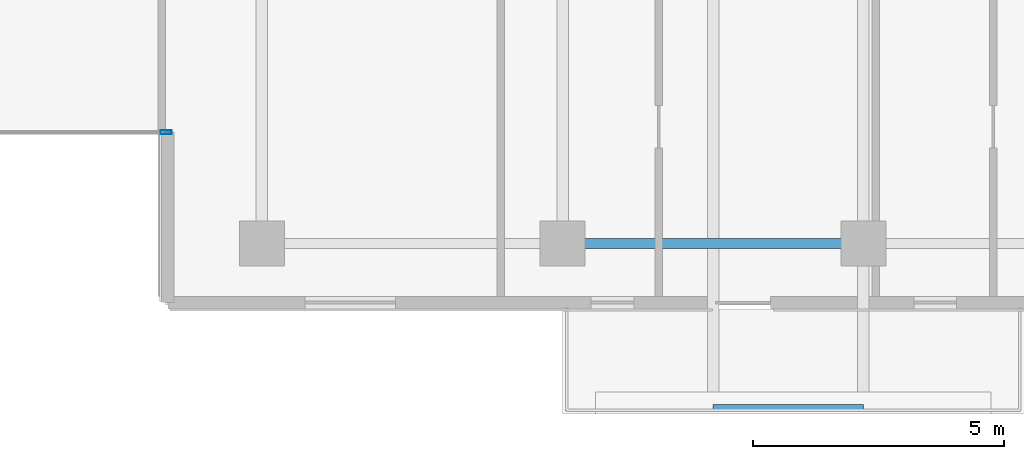
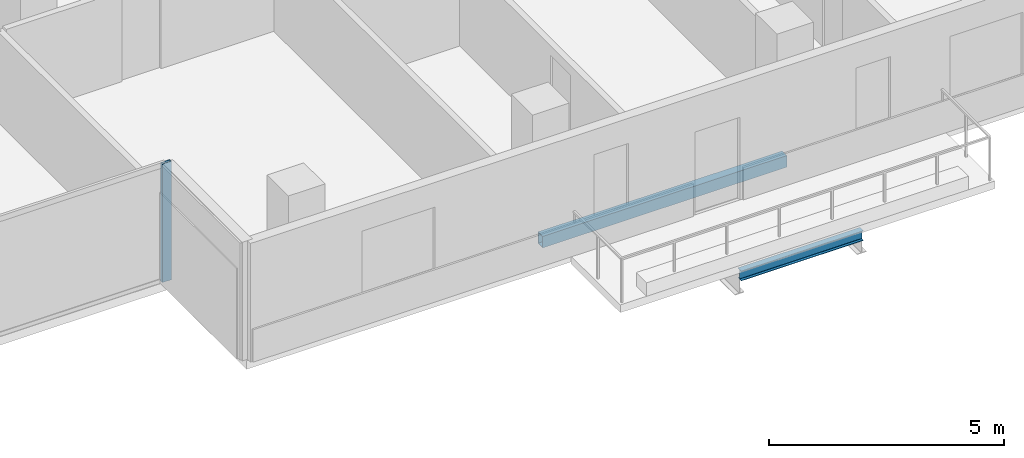
# One storey, part 4 of 19: 2 beams, 1 member, 1 element without a shape of its own.
"""IFC4 building model written with IfcOpenShell, lengths in metres."""

from ifc_helpers import new_model, si_unit, direction, frame, origin, origin_2d, place, context, subcontext, project, spatial, hollow_rectangle, i_section, extrude, material, layer, layer_set, material_profile, profile_set, type_object, element, aggregate, save


model = new_model("IFC4")

# Units and contexts
model_context = context("Model", 3, precision=1e-05, world=origin(), true_north=direction((0.0, 1.0)))
body_context = subcontext(model_context, "Body", "Model", "MODEL_VIEW")
ifc_project = project(units=[si_unit("LENGTHUNIT", "METRE"), si_unit("AREAUNIT", "SQUARE_METRE"), si_unit("VOLUMEUNIT", "CUBIC_METRE"), si_unit("PLANEANGLEUNIT", "RADIAN"), si_unit("MASSUNIT", "GRAM", prefix="KILO")], contexts=[model_context])

# Site, building, storey
site_placement = place(None, origin())
site = spatial("IfcSite", under=ifc_project, at=site_placement, CompositionType="ELEMENT")
building_placement = place(site_placement, origin())
building = spatial("IfcBuilding", under=site, at=building_placement, Name="Tanjung Sevakor Pilgrim Tower", CompositionType="ELEMENT")
storey_placement = place(building_placement, frame((0.0, 0.0, 138.60009765625)))
storey = spatial("IfcBuildingStorey", under=building, at=storey_placement, Name="L38", CompositionType="ELEMENT", Elevation=138.60009765625)

# Beams
ifc_material_1 = material(Name="Steel S355J2", Category="steel")
ifc_material_profile_1 = material_profile(ifc_material_1, i_section(OverallWidth=0.146484375, OverallDepth=0.256103515625, WebThickness=0.00634765625, FlangeThickness=0.010986328125, FilletRadius=0.007568359375, at=origin_2d()))
ifc_profile_set_1 = profile_set([ifc_material_profile_1], Name="Steel S355J2")
beam_type_1 = type_object("IfcBeamType", Name="BM-B-J6-UB_254x146x37", PredefinedType="JOIST", material=ifc_profile_set_1)
beam_1_placement = place(storey_placement, frame((63.0, 9.919921875, -0.328125), z_axis=(1.0, 0.0, 0.0), x_axis=(0.0, 1.0, 0.0)))
element("IfcBeam", 1, at=beam_1_placement, inside=storey, type_object=beam_type_1, Name="L38 Balcony Rim Tie MAIN-S2", PredefinedType="JOIST", context=body_context, shape_type="SweptSolid", body=[
    extrude(i_section(OverallWidth=0.146484375, OverallDepth=0.256103515625, WebThickness=0.00634765625, FlangeThickness=0.010986328125, FilletRadius=0.007568359375, at=origin_2d()), origin(), (0.0, 0.0, 1.0), 3.0),
])
ifc_material_2 = material(Name="Steel S355J2", Category="steel")
ifc_material_profile_2 = material_profile(ifc_material_2, hollow_rectangle(XDim=0.199951171875, YDim=0.300048828125, WallThickness=0.012451171875, at=origin_2d()))
ifc_profile_set_2 = profile_set([ifc_material_profile_2], Name="Steel S355J2")
beam_type_2 = type_object("IfcBeamType", Name="BM-B-SP3-RHS_300x200x12.5", PredefinedType="SPANDREL", material=ifc_profile_set_2)
beam_2_placement = place(storey_placement, frame((60.0, 13.199951171875, -0.3701171875), z_axis=(1.0, 0.0, 0.0), x_axis=(0.0, 1.0, 0.0)))
element("IfcBeam", 2, at=beam_2_placement, inside=storey, type_object=beam_type_2, Name="L38 Spandrel MAIN S-09", PredefinedType="SPANDREL", context=body_context, shape_type="SweptSolid", body=[
    extrude(hollow_rectangle(XDim=0.199951171875, YDim=0.300048828125, WallThickness=0.012451171875, at=origin_2d()), origin(), (0.0, 0.0, 1.0), 6.0),
])

# Curtain wall, member
ifc_material_3 = material(Name="Aluminium 6063-T6 and Low-E Glass", Category="aluminium")
ifc_layer = layer(ifc_material_3, 0.179931640625)
ifc_layer_set = layer_set([ifc_layer], Name="CW-SYS-CLEFT")
curtain_wall_type = type_object("IfcCurtainWallType", Name="CW-SYS-CLEFT", PredefinedType="NOTDEFINED", material=ifc_layer_set)
curtain_wall_placement = place(storey_placement, origin())
curtain_wall = element("IfcCurtainWall", 3, at=curtain_wall_placement, inside=storey, type_object=curtain_wall_type, Name="L38 Curtain Wall CW-CLF-L38-2", PredefinedType="NOTDEFINED")
ifc_material_4 = material(Name="Aluminium 6063-T6", Category="aluminium")
ifc_material_profile_3 = material_profile(ifc_material_4, hollow_rectangle(XDim=0.074951171875, YDim=0.219970703125, WallThickness=0.0048828125, at=origin_2d()))
ifc_profile_set_3 = profile_set([ifc_material_profile_3], Name="Aluminium 6063-T6")
member_type = type_object("IfcMemberType", Name="TYPE-CWM-2", PredefinedType="MULLION", material=ifc_profile_set_3)
member_placement = place(storey_placement, frame((52.08740234375, 15.425048828125, 0.0), z_axis=(0.0, 0.0, 1.0), x_axis=(0.0, 1.0, 0.0)))
member = element("IfcMember", 4, at=member_placement, type_object=member_type, Name="CW-CLF mullion 2", PredefinedType="MULLION", context=body_context, shape_type="SweptSolid", body=[
    extrude(hollow_rectangle(XDim=0.074951171875, YDim=0.219970703125, WallThickness=0.0048828125, at=origin_2d()), origin(), (0.0, 0.0, 1.0), 3.079833984375),
])
aggregate(curtain_wall, [member])

save(model, "model.ifc")
